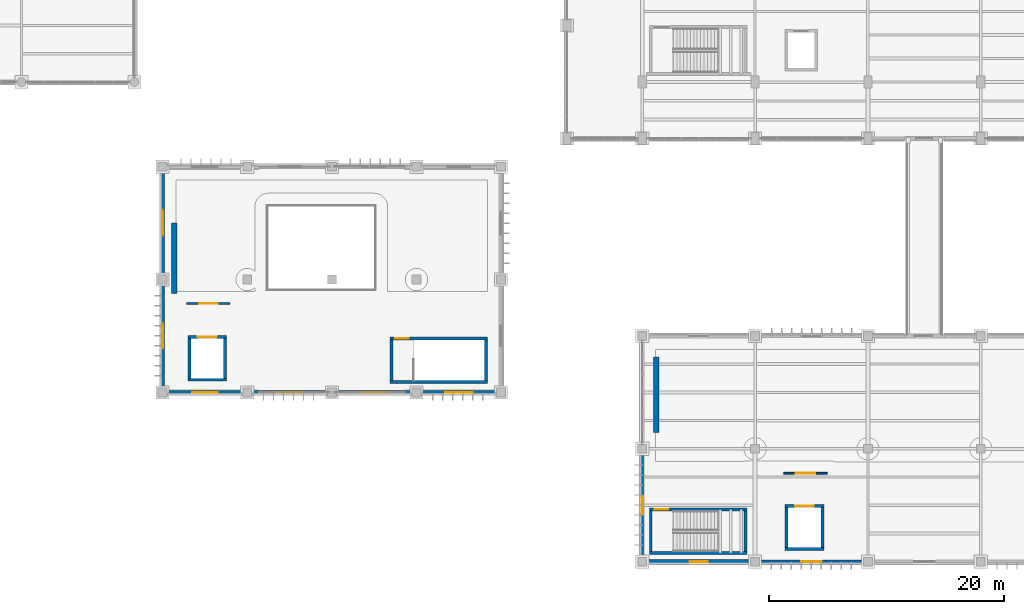
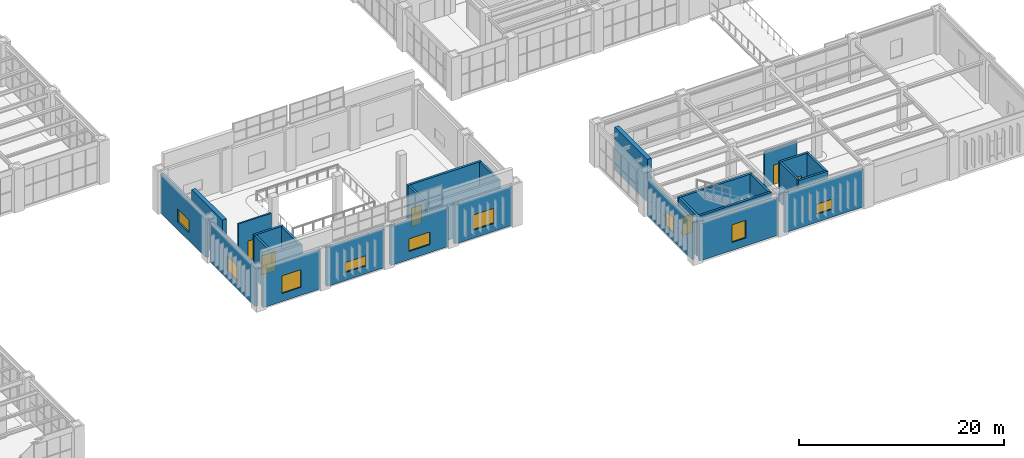
# One storey, part 142 of 174: 29 walls, 9 windows, 6 doors, 15 openings.
"""IFC4 building model written with IfcOpenShell, lengths in metres."""

import ifcopenshell
import ifcopenshell.guid

model = None  # the IFC model being written
_history = None  # IfcOwnerHistory: only IFC2X3 demands one
_inside = {}  # id of a spatial element -> (the spatial element, [elements in it])
_under = {}  # id of a project, library or spatial element -> (it, [spatial elements below it])
_declared = {}  # id of a project -> (the project, [libraries it declares])
_typed = {}  # id of a type object -> (the type object, [elements of that type])
_made_of = {}  # id of a material, layer set ... -> (it, [elements and type objects made of it])


def new_model(schema):
    """Start an empty IFC model of exactly this schema.

    Asked for "IFC4X3", IfcOpenShell would pick the latest addendum, in which some entities
    have other attributes; the version numbers below select the first issue.
    IFC2X3 requires an IfcOwnerHistory on every rooted entity: one is made here for all.
    """
    global model, _history
    if schema == "IFC4X3":
        model = ifcopenshell.file(schema_version=(4, 3, 0, 0))
    else:
        model = ifcopenshell.file(schema=schema)
    _inside.clear()
    _under.clear()
    _declared.clear()
    _typed.clear()
    _made_of.clear()
    _history = None
    if model.schema == "IFC2X3":
        org = make("IfcOrganization", Name="unknown")
        user = make(
            "IfcPersonAndOrganization",
            ThePerson=make("IfcPerson", FamilyName="unknown"),
            TheOrganization=org,
        )
        app = make(
            "IfcApplication",
            ApplicationDeveloper=org,
            Version="unknown",
            ApplicationFullName="unknown",
            ApplicationIdentifier="unknown",
        )
        _history = make(
            "IfcOwnerHistory",
            OwningUser=user,
            OwningApplication=app,
            ChangeAction="ADDED",
            CreationDate=0,
        )
    return model


def make(cls, **values):
    """One entity of the class cls with the attributes given. An attribute that is None is left unset."""
    return model.create_entity(
        cls, **{name: value for name, value in values.items() if value is not None}
    )


def rooted(cls, **values):
    """An entity with a GlobalId (a new one), such as an element, a storey or a relation."""
    return make(cls, GlobalId=ifcopenshell.guid.new(), OwnerHistory=_history, **values)


def si_unit(unit_type, name, prefix=None):
    """IfcSIUnit, for example si_unit("LENGTHUNIT", "METRE", prefix="MILLI")."""
    return make("IfcSIUnit", UnitType=unit_type, Prefix=prefix, Name=name)


def assignment(units):
    """IfcUnitAssignment: the units of a project."""
    return None if units is None else make("IfcUnitAssignment", Units=units)


def point(xyz):
    """IfcCartesianPoint."""
    return None if xyz is None else make("IfcCartesianPoint", Coordinates=xyz)


def direction(xyz):
    """IfcDirection."""
    return None if xyz is None else make("IfcDirection", DirectionRatios=xyz)


def frame(location, z_axis=None, x_axis=None):
    """IfcAxis2Placement3D, a coordinate frame: its origin and axes. An axis left out is left unset."""
    return make(
        "IfcAxis2Placement3D",
        Location=point(location),
        Axis=direction(z_axis),
        RefDirection=direction(x_axis),
    )


def frame_2d(location, x_axis=None):
    """IfcAxis2Placement2D, a coordinate frame in the plane: its origin and x axis."""
    return make(
        "IfcAxis2Placement2D", Location=point(location), RefDirection=direction(x_axis)
    )


def origin():
    """The frame at (0, 0, 0) with its axes left unset."""
    return frame((0.0, 0.0, 0.0))


def place(relative_to, where):
    """IfcLocalPlacement: puts the frame where relative to a parent placement (None: the world)."""
    return make(
        "IfcLocalPlacement", PlacementRelTo=relative_to, RelativePlacement=where
    )


def context(
    kind, dimensions, precision=None, world=None, true_north=None, identifier=None
):
    """IfcGeometricRepresentationContext, for example the 3D "Model" context."""
    return make(
        "IfcGeometricRepresentationContext",
        ContextIdentifier=identifier,
        ContextType=kind,
        CoordinateSpaceDimension=dimensions,
        Precision=precision,
        WorldCoordinateSystem=world,
        TrueNorth=true_north,
    )


def subcontext(parent, identifier, kind, view, scale=None):
    """IfcGeometricRepresentationSubContext, for example "Body" below "Model"."""
    return make(
        "IfcGeometricRepresentationSubContext",
        ContextIdentifier=identifier,
        ContextType=kind,
        ParentContext=parent,
        TargetScale=scale,
        TargetView=view,
    )


def project(units=None, contexts=None):
    """IfcProject with its units and contexts."""
    return rooted(
        "IfcProject",
        Name="project",
        RepresentationContexts=contexts,
        UnitsInContext=assignment(units),
    )


def spatial(cls, under=None, at=None, **own):
    """A site, building, storey or space (cls), placed at a placement, below another one or the project."""
    s = rooted(cls, ObjectPlacement=at, **own)
    if under is not None:
        _under.setdefault(under.id(), (under, []))[1].append(s)
    return s


def profile(cls, at=None, kind="AREA", **sizes):
    """A parametric profile (cls). Its sizes go by their IFC names, for example OverallWidth=200.0."""
    return make(cls, ProfileType=kind, Position=at, **sizes)


def rectangle(**sizes):
    """IfcRectangleProfileDef."""
    return profile("IfcRectangleProfileDef", **sizes)


def extrude(swept, where, along, depth):
    """IfcExtrudedAreaSolid: the profile swept, set in the frame where, extruded along a direction by depth."""
    return make(
        "IfcExtrudedAreaSolid",
        SweptArea=swept,
        Position=where,
        ExtrudedDirection=direction(along),
        Depth=depth,
    )


def shape(context_of_items, identifier, shape_type, items):
    """IfcShapeRepresentation: the items that make up one representation, for example the "Body"."""
    return make(
        "IfcShapeRepresentation",
        ContextOfItems=context_of_items,
        RepresentationIdentifier=identifier,
        RepresentationType=shape_type,
        Items=items,
    )


def material(Name=None, Category=None):
    """IfcMaterial."""
    return make("IfcMaterial", Name=Name, Category=Category)


def layer(
    of_material, thickness, ventilated=None, Name=None, Category=None, Priority=None
):
    """IfcMaterialLayer: one layer of a wall or slab, of a material (None: an air gap)."""
    return make(
        "IfcMaterialLayer",
        Material=of_material,
        LayerThickness=thickness,
        IsVentilated=ventilated,
        Name=Name,
        Category=Category,
        Priority=Priority,
    )


def layer_set(layers, Name=None):
    """IfcMaterialLayerSet."""
    return make("IfcMaterialLayerSet", MaterialLayers=layers, LayerSetName=Name)


def made_of(thing, what):
    """Note that an element or type object is made of a material, layer set ...; save() writes the relation."""
    if what is not None:
        _made_of.setdefault(what.id(), (what, []))[1].append(thing)
    return thing


def type_object(cls, material=None, **own):
    """A type object (cls), such as IfcWallType, which elements share."""
    return made_of(rooted(cls, **own), material)


def element(
    cls,
    number,
    at=None,
    inside=None,
    cuts=None,
    type_object=None,
    material=None,
    context=None,
    identifier="Body",
    shape_type=None,
    held_by="IfcProductDefinitionShape",
    body=None,
    shapes=None,
    **own,
):
    """One element of the class cls, such as IfcWall. Its Tag is "e" and its number.

    at: its placement. inside: the storey or other place that contains it. cuts: it is an
    opening in that element (IfcRelVoidsElement). A single representation is given by context,
    identifier, shape_type and body (its items); several are given by shapes. held_by: the class
    of the entity that holds the representations. save() writes the other relations.
    """
    e = rooted(cls, Tag="e%d" % number, ObjectPlacement=at, **own)
    if body is not None:
        shapes = [shape(context, identifier, shape_type, body)]
    if shapes is not None:
        e.Representation = make(held_by, Representations=shapes)
    if inside is not None:
        _inside.setdefault(inside.id(), (inside, []))[1].append(e)
    if cuts is not None:
        rooted(
            "IfcRelVoidsElement", RelatingBuildingElement=cuts, RelatedOpeningElement=e
        )
    if type_object is not None:
        _typed.setdefault(type_object.id(), (type_object, []))[1].append(e)
    return made_of(e, material)


def fill(opening, filler):
    """IfcRelFillsElement: the door or window that sits in an opening."""
    return rooted(
        "IfcRelFillsElement",
        RelatingOpeningElement=opening,
        RelatedBuildingElement=filler,
    )


def aggregate(whole, parts):
    """IfcRelAggregates: a whole, such as a stair, and the parts it consists of."""
    return rooted("IfcRelAggregates", RelatingObject=whole, RelatedObjects=parts)


def save(model, path):
    """Write the relations noted so far, then the file.

    IfcRelAggregates (storeys below a building ...), IfcRelContainedInSpatialStructure (elements
    in a storey), IfcRelDefinesByType, IfcRelAssociatesMaterial and IfcRelDeclares: one each for
    every whole, place, type object, material and project.
    """
    for whole, parts in _under.values():
        aggregate(whole, parts)
    for where, things in _inside.values():
        rooted(
            "IfcRelContainedInSpatialStructure",
            RelatedElements=things,
            RelatingStructure=where,
        )
    for kind, things in _typed.values():
        rooted("IfcRelDefinesByType", RelatedObjects=things, RelatingType=kind)
    for what, things in _made_of.values():
        rooted("IfcRelAssociatesMaterial", RelatedObjects=things, RelatingMaterial=what)
    for by, libraries in _declared.values():
        rooted("IfcRelDeclares", RelatingContext=by, RelatedDefinitions=libraries)
    model.write(path)


model = new_model("IFC4")

# Units and contexts
model_context = context("Model", 3, precision=1e-05, world=origin(), true_north=direction((0.0, 1.0)))
body_context = subcontext(model_context, "Body", "Model", "MODEL_VIEW")
ifc_project = project(units=[si_unit("LENGTHUNIT", "METRE"), si_unit("AREAUNIT", "SQUARE_METRE"), si_unit("VOLUMEUNIT", "CUBIC_METRE"), si_unit("PLANEANGLEUNIT", "RADIAN"), si_unit("MASSUNIT", "GRAM", prefix="KILO")], contexts=[model_context])

# Site, building, storey
site_placement = place(None, origin())
site = spatial("IfcSite", under=ifc_project, at=site_placement, CompositionType="ELEMENT")
building_placement = place(site_placement, origin())
building = spatial("IfcBuilding", under=site, at=building_placement, Name="Mavantir Sound Aquarium", CompositionType="ELEMENT")
storey_placement = place(building_placement, frame((0.0, 0.0, 5.39990234375)))
storey = spatial("IfcBuildingStorey", under=building, at=storey_placement, Name="L01", CompositionType="ELEMENT", Elevation=5.39990234375)

# Wall, opening, window
ifc_material_1 = material(Name="Coral-Buff Architectural Precast Concrete C40/50", Category="concrete")
ifc_layer_1 = layer(ifc_material_1, 0.31005859375, Name="Coral-Buff Architectural Precast Concrete C40/50")
ifc_layer_set_1 = layer_set([ifc_layer_1], Name="Coral-Buff Architectural Precast Concrete C40/50")
wall_type_1 = type_object("IfcWallType", Name="EW-CORAL-310", PredefinedType="SOLIDWALL", material=ifc_layer_set_1)
wall_1_placement = place(storey_placement, frame((117.98291015625, 0.0, 0.0), z_axis=(0.0, 0.0, 1.0), x_axis=(1.0, 0.0, 0.0)))
wall_1 = element("IfcWall", 1, at=wall_1_placement, inside=storey, type_object=wall_type_1, Name="L01 exterior facade wall EW-02 188", PredefinedType="SOLIDWALL", context=body_context, shape_type="SweptSolid", body=[
    extrude(rectangle(XDim=8.833984375, YDim=0.31005859375, at=frame_2d((4.4169921875, 0.0))), origin(), (0.0, 0.0, 1.0), 4.51318359375),
])
opening_1_placement = place(wall_1_placement, frame((3.5419921875, 0.0, 0.949951171875)))
opening_1 = element("IfcOpeningElement", 2, at=opening_1_placement, cuts=wall_1, Name="Opening W-17", PredefinedType="OPENING", context=body_context, shape_type="SweptSolid", body=[
    extrude(rectangle(XDim=1.75, YDim=1.199951171875, at=frame_2d((0.875, 0.60009765625))), frame((0.0, 0.1650390625, 0.0), z_axis=(0.0, -1.0, 0.0), x_axis=(1.0, 0.0, 0.0)), (0.0, 0.0, 1.0), 0.330078125),
])
ifc_material_2 = material(Name="Thermally Broken Aluminium and Low-E Glass", Category="aluminium")
window_type_1 = type_object("IfcWindowType", Name="WIN-EXT-17", PartitioningType="DOUBLE_PANEL_VERTICAL", PredefinedType="WINDOW", material=ifc_material_2)
window_1_placement = place(opening_1_placement, origin())
window_1 = element("IfcWindow", 3, at=window_1_placement, inside=storey, type_object=window_type_1, Name="L01 facade window W-17 65", OverallHeight=1.199951171875, OverallWidth=1.75, PartitioningType="SINGLE_PANEL", PredefinedType="WINDOW", context=body_context, shape_type="SweptSolid", body=[
    extrude(rectangle(XDim=1.75, YDim=1.199951171875, at=frame_2d((0.875, 0.60009765625))), frame((0.0, 0.030029296875, 0.0), z_axis=(0.0, -1.0, 0.0), x_axis=(1.0, 0.0, 0.0)), (0.0, 0.0, 1.0), 0.06005859375),
])
fill(opening_1, window_1)

ifc_layer_2 = layer(ifc_material_1, 0.340087890625, Name="Coral-Buff Architectural Precast Concrete C40/50")
ifc_layer_set_2 = layer_set([ifc_layer_2], Name="Coral-Buff Architectural Precast Concrete C40/50")
wall_type_2 = type_object("IfcWallType", Name="EW-CORAL-340", PredefinedType="SOLIDWALL", material=ifc_layer_set_2)
wall_2_placement = place(storey_placement, frame((108.383056640625, 0.0, 0.0), z_axis=(0.0, 0.0, 1.0), x_axis=(1.0, 0.0, 0.0)))
wall_2 = element("IfcWall", 4, at=wall_2_placement, inside=storey, type_object=wall_type_2, Name="L01 exterior facade wall EW-01 187", PredefinedType="SOLIDWALL", context=body_context, shape_type="SweptSolid", body=[
    extrude(rectangle(XDim=8.833984375, YDim=0.340087890625, at=frame_2d((4.4169921875, 0.0))), origin(), (0.0, 0.0, 1.0), 4.408203125),
])
opening_2_placement = place(wall_2_placement, frame((3.64208984375, 0.0, 0.949951171875)))
opening_2 = element("IfcOpeningElement", 5, at=opening_2_placement, cuts=wall_2, Name="Opening W-16", PredefinedType="OPENING", context=body_context, shape_type="SweptSolid", body=[
    extrude(rectangle(XDim=1.550048828125, YDim=2.10009765625, at=frame_2d((0.77490234375, 1.050048828125))), frame((0.0, 0.18017578125, 0.0), z_axis=(0.0, -1.0, 0.0), x_axis=(1.0, 0.0, 0.0)), (0.0, 0.0, 1.0), 0.360107421875),
])
window_type_2 = type_object("IfcWindowType", Name="WIN-EXT-16", PartitioningType="SINGLE_PANEL", PredefinedType="WINDOW", material=ifc_material_2)
window_2_placement = place(opening_2_placement, origin())
window_2 = element("IfcWindow", 6, at=window_2_placement, inside=storey, type_object=window_type_2, Name="L01 facade window W-16 64", OverallHeight=2.10009765625, OverallWidth=1.550048828125, PartitioningType="SINGLE_PANEL", PredefinedType="WINDOW", context=body_context, shape_type="SweptSolid", body=[
    extrude(rectangle(XDim=1.550048828125, YDim=2.10009765625, at=frame_2d((0.77490234375, 1.050048828125))), frame((0.0, 0.030029296875, 0.0), z_axis=(0.0, -1.0, 0.0), x_axis=(1.0, 0.0, 0.0)), (0.0, 0.0, 1.0), 0.06005859375),
])
fill(opening_2, window_2)

wall_3_placement = place(storey_placement, frame((67.199951171875, 33.217041015625, 0.0), z_axis=(0.0, 0.0, 1.0), x_axis=(0.0, -1.0, 0.0)))
wall_3 = element("IfcWall", 7, at=wall_3_placement, inside=storey, type_object=wall_type_2, Name="L01 exterior facade wall EW-01 197", PredefinedType="SOLIDWALL", context=body_context, shape_type="SweptSolid", body=[
    extrude(rectangle(XDim=8.833984375, YDim=0.340087890625, at=frame_2d((4.4169921875, 0.0))), origin(), (0.0, 0.0, 1.0), 4.605712890625),
])
opening_3_placement = place(wall_3_placement, frame((3.342041015625, 0.0, 0.949951171875)))
opening_3 = element("IfcOpeningElement", 8, at=opening_3_placement, cuts=wall_3, Name="Opening W-26", PredefinedType="OPENING", context=body_context, shape_type="SweptSolid", body=[
    extrude(rectangle(XDim=2.14990234375, YDim=1.5, at=frame_2d((1.074951171875, 0.75))), frame((0.0, 0.18017578125, 0.0), z_axis=(0.0, -1.0, 0.0), x_axis=(1.0, 0.0, 0.0)), (0.0, 0.0, 1.0), 0.360107421875),
])
window_type_3 = type_object("IfcWindowType", Name="WIN-EXT-26", PartitioningType="DOUBLE_PANEL_VERTICAL", PredefinedType="WINDOW", material=ifc_material_2)
window_3_placement = place(opening_3_placement, origin())
window_3 = element("IfcWindow", 9, at=window_3_placement, inside=storey, type_object=window_type_3, Name="L01 facade window W-26 74", OverallHeight=1.5, OverallWidth=2.14990234375, PartitioningType="SINGLE_PANEL", PredefinedType="WINDOW", context=body_context, shape_type="SweptSolid", body=[
    extrude(rectangle(XDim=2.14990234375, YDim=1.5, at=frame_2d((1.074951171875, 0.75))), frame((0.0, 0.030029296875, 0.0), z_axis=(0.0, -1.0, 0.0), x_axis=(1.0, 0.0, 0.0)), (0.0, 0.0, 1.0), 0.06005859375),
])
fill(opening_3, window_3)

wall_4_placement = place(storey_placement, frame((67.199951171875, 23.616943359375, 0.0), z_axis=(0.0, 0.0, 1.0), x_axis=(0.0, -1.0, 0.0)))
wall_4 = element("IfcWall", 10, at=wall_4_placement, inside=storey, type_object=wall_type_2, Name="L01 exterior facade wall EW-01 198", PredefinedType="SOLIDWALL", context=body_context, shape_type="SweptSolid", body=[
    extrude(rectangle(XDim=8.833984375, YDim=0.340087890625, at=frame_2d((4.4169921875, 0.0))), origin(), (0.0, 0.0, 1.0), 4.605712890625),
])
opening_4_placement = place(wall_4_placement, frame((3.342041015625, 0.0, 0.949951171875)))
opening_4 = element("IfcOpeningElement", 11, at=opening_4_placement, cuts=wall_4, Name="Opening W-27", PredefinedType="OPENING", context=body_context, shape_type="SweptSolid", body=[
    extrude(rectangle(XDim=2.14990234375, YDim=1.800048828125, at=frame_2d((1.074951171875, 0.89990234375))), frame((0.0, 0.18017578125, 0.0), z_axis=(0.0, -1.0, 0.0), x_axis=(1.0, 0.0, 0.0)), (0.0, 0.0, 1.0), 0.360107421875),
])
window_type_4 = type_object("IfcWindowType", Name="WIN-EXT-27", PartitioningType="DOUBLE_PANEL_VERTICAL", PredefinedType="WINDOW", material=ifc_material_2)
window_4_placement = place(opening_4_placement, origin())
window_4 = element("IfcWindow", 12, at=window_4_placement, inside=storey, type_object=window_type_4, Name="L01 facade window W-27 75", OverallHeight=1.800048828125, OverallWidth=2.14990234375, PartitioningType="SINGLE_PANEL", PredefinedType="WINDOW", context=body_context, shape_type="SweptSolid", body=[
    extrude(rectangle(XDim=2.14990234375, YDim=1.800048828125, at=frame_2d((1.074951171875, 0.89990234375))), frame((0.0, 0.030029296875, 0.0), z_axis=(0.0, -1.0, 0.0), x_axis=(1.0, 0.0, 0.0)), (0.0, 0.0, 1.0), 0.06005859375),
])
fill(opening_4, window_4)

wall_5_placement = place(storey_placement, frame((67.5830078125, 14.39990234375, 0.0), z_axis=(0.0, 0.0, 1.0), x_axis=(1.0, 0.0, 0.0)))
wall_5 = element("IfcWall", 13, at=wall_5_placement, inside=storey, type_object=wall_type_2, Name="L01 exterior facade wall EW-01 199", PredefinedType="SOLIDWALL", context=body_context, shape_type="SweptSolid", body=[
    extrude(rectangle(XDim=6.43408203125, YDim=0.340087890625, at=frame_2d((3.217041015625, 0.0))), origin(), (0.0, 0.0, 1.0), 4.605712890625),
])
opening_5_placement = place(wall_5_placement, frame((2.14208984375, 0.0, 0.949951171875)))
opening_5 = element("IfcOpeningElement", 14, at=opening_5_placement, cuts=wall_5, Name="Opening W-28", PredefinedType="OPENING", context=body_context, shape_type="SweptSolid", body=[
    extrude(rectangle(XDim=2.14990234375, YDim=2.10009765625, at=frame_2d((1.074951171875, 1.050048828125))), frame((0.0, 0.18017578125, 0.0), z_axis=(0.0, -1.0, 0.0), x_axis=(1.0, 0.0, 0.0)), (0.0, 0.0, 1.0), 0.360107421875),
])
window_type_5 = type_object("IfcWindowType", Name="WIN-EXT-28", PartitioningType="DOUBLE_PANEL_VERTICAL", PredefinedType="WINDOW", material=ifc_material_2)
window_5_placement = place(opening_5_placement, origin())
window_5 = element("IfcWindow", 15, at=window_5_placement, inside=storey, type_object=window_type_5, Name="L01 facade window W-28 76", OverallHeight=2.10009765625, OverallWidth=2.14990234375, PartitioningType="SINGLE_PANEL", PredefinedType="WINDOW", context=body_context, shape_type="SweptSolid", body=[
    extrude(rectangle(XDim=2.14990234375, YDim=2.10009765625, at=frame_2d((1.074951171875, 1.050048828125))), frame((0.0, 0.030029296875, 0.0), z_axis=(0.0, -1.0, 0.0), x_axis=(1.0, 0.0, 0.0)), (0.0, 0.0, 1.0), 0.06005859375),
])
fill(opening_5, window_5)

wall_6_placement = place(storey_placement, frame((74.782958984375, 14.39990234375, 0.0), z_axis=(0.0, 0.0, 1.0), x_axis=(1.0, 0.0, 0.0)))
wall_6 = element("IfcWall", 16, at=wall_6_placement, inside=storey, type_object=wall_type_2, Name="L01 exterior facade wall EW-01 200", PredefinedType="SOLIDWALL", context=body_context, shape_type="SweptSolid", body=[
    extrude(rectangle(XDim=6.43408203125, YDim=0.340087890625, at=frame_2d((3.217041015625, 0.0))), origin(), (0.0, 0.0, 1.0), 4.605712890625),
])
opening_6_placement = place(wall_6_placement, frame((2.0419921875, 0.0, 0.949951171875)))
opening_6 = element("IfcOpeningElement", 17, at=opening_6_placement, cuts=wall_6, Name="Opening W-29", PredefinedType="OPENING", context=body_context, shape_type="SweptSolid", body=[
    extrude(rectangle(XDim=2.35009765625, YDim=1.199951171875, at=frame_2d((1.175048828125, 0.60009765625))), frame((0.0, 0.18017578125, 0.0), z_axis=(0.0, -1.0, 0.0), x_axis=(1.0, 0.0, 0.0)), (0.0, 0.0, 1.0), 0.360107421875),
])
window_type_6 = type_object("IfcWindowType", Name="WIN-EXT-29", PartitioningType="DOUBLE_PANEL_VERTICAL", PredefinedType="WINDOW", material=ifc_material_2)
window_6_placement = place(opening_6_placement, origin())
window_6 = element("IfcWindow", 18, at=window_6_placement, inside=storey, type_object=window_type_6, Name="L01 facade window W-29 77", OverallHeight=1.199951171875, OverallWidth=2.35009765625, PartitioningType="SINGLE_PANEL", PredefinedType="WINDOW", context=body_context, shape_type="SweptSolid", body=[
    extrude(rectangle(XDim=2.35009765625, YDim=1.199951171875, at=frame_2d((1.175048828125, 0.60009765625))), frame((0.0, 0.030029296875, 0.0), z_axis=(0.0, -1.0, 0.0), x_axis=(1.0, 0.0, 0.0)), (0.0, 0.0, 1.0), 0.06005859375),
])
fill(opening_6, window_6)

wall_7_placement = place(storey_placement, frame((81.98291015625, 14.39990234375, 0.0), z_axis=(0.0, 0.0, 1.0), x_axis=(1.0, 0.0, 0.0)))
wall_7 = element("IfcWall", 19, at=wall_7_placement, inside=storey, type_object=wall_type_2, Name="L01 exterior facade wall EW-01 201", PredefinedType="SOLIDWALL", context=body_context, shape_type="SweptSolid", body=[
    extrude(rectangle(XDim=6.43408203125, YDim=0.340087890625, at=frame_2d((3.217041015625, 0.0))), origin(), (0.0, 0.0, 1.0), 4.605712890625),
])
opening_7_placement = place(wall_7_placement, frame((2.0419921875, 0.0, 0.949951171875)))
opening_7 = element("IfcOpeningElement", 20, at=opening_7_placement, cuts=wall_7, Name="Opening W-30", PredefinedType="OPENING", context=body_context, shape_type="SweptSolid", body=[
    extrude(rectangle(XDim=2.35009765625, YDim=1.5, at=frame_2d((1.175048828125, 0.75))), frame((0.0, 0.18017578125, 0.0), z_axis=(0.0, -1.0, 0.0), x_axis=(1.0, 0.0, 0.0)), (0.0, 0.0, 1.0), 0.360107421875),
])
window_type_7 = type_object("IfcWindowType", Name="WIN-EXT-30", PartitioningType="DOUBLE_PANEL_VERTICAL", PredefinedType="WINDOW", material=ifc_material_2)
window_7_placement = place(opening_7_placement, origin())
window_7 = element("IfcWindow", 21, at=window_7_placement, inside=storey, type_object=window_type_7, Name="L01 facade window W-30 78", OverallHeight=1.5, OverallWidth=2.35009765625, PartitioningType="SINGLE_PANEL", PredefinedType="WINDOW", context=body_context, shape_type="SweptSolid", body=[
    extrude(rectangle(XDim=2.35009765625, YDim=1.5, at=frame_2d((1.175048828125, 0.75))), frame((0.0, 0.030029296875, 0.0), z_axis=(0.0, -1.0, 0.0), x_axis=(1.0, 0.0, 0.0)), (0.0, 0.0, 1.0), 0.06005859375),
])
fill(opening_7, window_7)

wall_8_placement = place(storey_placement, frame((89.18310546875, 14.39990234375, 0.0), z_axis=(0.0, 0.0, 1.0), x_axis=(1.0, 0.0, 0.0)))
wall_8 = element("IfcWall", 22, at=wall_8_placement, inside=storey, type_object=wall_type_2, Name="L01 exterior facade wall EW-01 202", PredefinedType="SOLIDWALL", context=body_context, shape_type="SweptSolid", body=[
    extrude(rectangle(XDim=6.433837890625, YDim=0.340087890625, at=frame_2d((3.216796875, 0.0))), origin(), (0.0, 0.0, 1.0), 4.605712890625),
])
opening_8_placement = place(wall_8_placement, frame((2.0419921875, 0.0, 0.949951171875)))
opening_8 = element("IfcOpeningElement", 23, at=opening_8_placement, cuts=wall_8, Name="Opening W-31", PredefinedType="OPENING", context=body_context, shape_type="SweptSolid", body=[
    extrude(rectangle(XDim=2.35009765625, YDim=1.800048828125, at=frame_2d((1.175048828125, 0.89990234375))), frame((0.0, 0.18017578125, 0.0), z_axis=(0.0, -1.0, 0.0), x_axis=(1.0, 0.0, 0.0)), (0.0, 0.0, 1.0), 0.360107421875),
])
window_type_8 = type_object("IfcWindowType", Name="WIN-EXT-31", PartitioningType="DOUBLE_PANEL_VERTICAL", PredefinedType="WINDOW", material=ifc_material_2)
window_8_placement = place(opening_8_placement, origin())
window_8 = element("IfcWindow", 24, at=window_8_placement, inside=storey, type_object=window_type_8, Name="L01 facade window W-31 79", OverallHeight=1.800048828125, OverallWidth=2.35009765625, PartitioningType="SINGLE_PANEL", PredefinedType="WINDOW", context=body_context, shape_type="SweptSolid", body=[
    extrude(rectangle(XDim=2.35009765625, YDim=1.800048828125, at=frame_2d((1.175048828125, 0.89990234375))), frame((0.0, 0.030029296875, 0.0), z_axis=(0.0, -1.0, 0.0), x_axis=(1.0, 0.0, 0.0)), (0.0, 0.0, 1.0), 0.06005859375),
])
fill(opening_8, window_8)

ifc_material_3 = material(Name="Architectural Precast Concrete C40/50", Category="concrete")
ifc_layer_3 = layer(ifc_material_3, 0.239990234375, Name="Architectural Precast Concrete C40/50")
ifc_layer_set_3 = layer_set([ifc_layer_3], Name="Architectural Precast Concrete C40/50")
wall_type_3 = type_object("IfcWallType", Name="EW-PRE-240", PredefinedType="SOLIDWALL", material=ifc_layer_set_3)
wall_9_placement = place(storey_placement, frame((108.0, 9.217041015625, 0.0), z_axis=(0.0, 0.0, 1.0), x_axis=(0.0, -1.0, 0.0)))
wall_9 = element("IfcWall", 25, at=wall_9_placement, inside=storey, type_object=wall_type_3, Name="L01 exterior facade wall EW-06 186", PredefinedType="SOLIDWALL", context=body_context, shape_type="SweptSolid", body=[
    extrude(rectangle(XDim=8.833984375, YDim=0.239990234375, at=frame_2d((4.4169921875, 0.0))), origin(), (0.0, 0.0, 1.0), 4.406005859375),
])
opening_9_placement = place(wall_9_placement, frame((3.64208984375, 0.0, 0.949951171875)))
opening_9 = element("IfcOpeningElement", 26, at=opening_9_placement, cuts=wall_9, Name="Opening W-15", PredefinedType="OPENING", context=body_context, shape_type="SweptSolid", body=[
    extrude(rectangle(XDim=1.550048828125, YDim=1.800048828125, at=frame_2d((0.77490234375, 0.89990234375))), frame((0.0, 0.1298828125, 0.0), z_axis=(0.0, -1.0, 0.0), x_axis=(1.0, 0.0, 0.0)), (0.0, 0.0, 1.0), 0.260009765625),
])
window_type_9 = type_object("IfcWindowType", Name="WIN-EXT-15", PartitioningType="SINGLE_PANEL", PredefinedType="WINDOW", material=ifc_material_2)
window_9_placement = place(opening_9_placement, origin())
window_9 = element("IfcWindow", 27, at=window_9_placement, inside=storey, type_object=window_type_9, Name="L01 facade window W-15 63", OverallHeight=1.800048828125, OverallWidth=1.550048828125, PartitioningType="SINGLE_PANEL", PredefinedType="WINDOW", context=body_context, shape_type="SweptSolid", body=[
    extrude(rectangle(XDim=1.550048828125, YDim=1.800048828125, at=frame_2d((0.77490234375, 0.89990234375))), frame((0.0, 0.030029296875, 0.0), z_axis=(0.0, -1.0, 0.0), x_axis=(1.0, 0.0, 0.0)), (0.0, 0.0, 1.0), 0.06005859375),
])
fill(opening_9, window_9)

# Wall, opening, door
ifc_material_4 = material(Name="Acoustic Metal-Stud Gypsum Partition", Category="gypsum")
ifc_layer_4 = layer(ifc_material_4, 0.159912109375, Name="Acoustic Metal-Stud Gypsum Partition")
ifc_layer_set_4 = layer_set([ifc_layer_4], Name="Acoustic Metal-Stud Gypsum Partition")
wall_type_4 = type_object("IfcWallType", Name="IW-PART-160", PredefinedType="PARTITIONING", material=ifc_layer_set_4)
wall_10_placement = place(storey_placement, frame((120.050048828125, 7.52490234375, 0.0), z_axis=(0.0, 0.0, 1.0), x_axis=(1.0, 0.0, 0.0)))
wall_10 = element("IfcWall", 28, at=wall_10_placement, inside=storey, type_object=wall_type_4, Name="L01 Secondary Marine Quarantine Acclimatization Hall entry partition", PredefinedType="PARTITIONING", context=body_context, shape_type="SweptSolid", body=[
    extrude(rectangle(XDim=3.699951171875, YDim=0.159912109375, at=frame_2d((1.85009765625, 0.0))), origin(), (0.0, 0.0, 1.0), 4.299072265625),
])
opening_10_placement = place(wall_10_placement, frame((1.030029296875, 0.0, 0.0)))
opening_10 = element("IfcOpeningElement", 29, at=opening_10_placement, cuts=wall_10, Name="Opening ID-15", PredefinedType="OPENING", context=body_context, shape_type="SweptSolid", body=[
    extrude(rectangle(XDim=1.639892578125, YDim=2.35009765625, at=frame_2d((0.81982421875, 1.175048828125))), frame((0.0, 0.08984375, 0.0), z_axis=(0.0, -1.0, 0.0), x_axis=(1.0, 0.0, 0.0)), (0.0, 0.0, 1.0), 0.179931640625),
])
ifc_material_5 = material(Name="Solid-Core Marine Hardwood and Vision-Panel Door", Category="wood")
door_type_1 = type_object("IfcDoorType", Name="DR-INT-15", OperationType="NOTDEFINED", PredefinedType="DOOR", material=ifc_material_5)
door_1_placement = place(opening_10_placement, origin())
door_1 = element("IfcDoor", 30, at=door_1_placement, inside=storey, type_object=door_type_1, Name="Secondary Marine Quarantine Acclimatization Hall door", OperationType="SINGLE_SWING_LEFT", OverallHeight=2.35009765625, OverallWidth=1.639892578125, PredefinedType="DOOR", context=body_context, shape_type="SweptSolid", body=[
    extrude(rectangle(XDim=1.639892578125, YDim=2.35009765625, at=frame_2d((0.81982421875, 1.175048828125))), frame((0.0, 0.02490234375, 0.0), z_axis=(0.0, -1.0, 0.0), x_axis=(1.0, 0.0, 0.0)), (0.0, 0.0, 1.0), 0.050048828125),
])
fill(opening_10, door_1)

ifc_layer_5 = layer(ifc_material_4, 0.179931640625, Name="Acoustic Metal-Stud Gypsum Partition")
ifc_layer_set_5 = layer_set([ifc_layer_5], Name="Acoustic Metal-Stud Gypsum Partition")
wall_type_5 = type_object("IfcWallType", Name="IW-PART-180", PredefinedType="PARTITIONING", material=ifc_layer_set_5)
wall_11_placement = place(storey_placement, frame((69.25, 21.97509765625, 0.0), z_axis=(0.0, 0.0, 1.0), x_axis=(1.0, 0.0, 0.0)))
wall_11 = element("IfcWall", 31, at=wall_11_placement, inside=storey, type_object=wall_type_5, Name="L01 Harbour Promenade Orientation Mezzanine entry partition", PredefinedType="PARTITIONING", context=body_context, shape_type="SweptSolid", body=[
    extrude(rectangle(XDim=3.699951171875, YDim=0.179931640625, at=frame_2d((1.85009765625, 0.0))), origin(), (0.0, 0.0, 1.0), 4.739990234375),
])
opening_11_placement = place(wall_11_placement, frame((1.070068359375, 0.0, 0.0)))
opening_11 = element("IfcOpeningElement", 32, at=opening_11_placement, cuts=wall_11, Name="Opening ID-14", PredefinedType="OPENING", context=body_context, shape_type="SweptSolid", body=[
    extrude(rectangle(XDim=1.56005859375, YDim=2.320068359375, at=frame_2d((0.780029296875, 1.16015625))), frame((0.0, 0.10009765625, 0.0), z_axis=(0.0, -1.0, 0.0), x_axis=(1.0, 0.0, 0.0)), (0.0, 0.0, 1.0), 0.199951171875),
])
door_type_2 = type_object("IfcDoorType", Name="DR-INT-14", OperationType="NOTDEFINED", PredefinedType="DOOR", material=ifc_material_5)
door_2_placement = place(opening_11_placement, origin())
door_2 = element("IfcDoor", 33, at=door_2_placement, inside=storey, type_object=door_type_2, Name="Harbour Promenade Orientation Mezzanine door", OperationType="SINGLE_SWING_RIGHT", OverallHeight=2.320068359375, OverallWidth=1.56005859375, PredefinedType="DOOR", context=body_context, shape_type="SweptSolid", body=[
    extrude(rectangle(XDim=1.56005859375, YDim=2.320068359375, at=frame_2d((0.780029296875, 1.16015625))), frame((0.0, 0.02490234375, 0.0), z_axis=(0.0, -1.0, 0.0), x_axis=(1.0, 0.0, 0.0)), (0.0, 0.0, 1.0), 0.050048828125),
])
fill(opening_11, door_2)

# Wall
ifc_material_6 = material(Name="Concrete C40/50", Category="concrete")
ifc_layer_6 = layer(ifc_material_6, 0.25, Name="Concrete C40/50")
ifc_layer_set_6 = layer_set([ifc_layer_6], Name="Concrete C40/50")
wall_type_6 = type_object("IfcWallType", Name="IW-SHAFT-250", PredefinedType="SHEAR", material=ifc_layer_set_6)
wall_12_placement = place(storey_placement, frame((108.60009765625, 0.72509765625, 0.0), z_axis=(0.0, 0.0, 1.0), x_axis=(1.0, 0.0, 0.0)))
element("IfcWall", 34, at=wall_12_placement, inside=storey, type_object=wall_type_6, Name="L01 stair ST6 shaft wall S", PredefinedType="SHEAR", context=body_context, shape_type="SweptSolid", body=[
    extrude(rectangle(XDim=8.2998046875, YDim=0.25, at=frame_2d((4.14990234375, 0.0))), origin(), (0.0, 0.0, 1.0), 4.75),
])

# Wall, opening, door
wall_13_placement = place(storey_placement, frame((116.89990234375, 4.425048828125, 0.0), z_axis=(0.0, 0.0, 1.0), x_axis=(-1.0, 0.0, 0.0)))
wall_13 = element("IfcWall", 35, at=wall_13_placement, inside=storey, type_object=wall_type_6, Name="L01 stair ST6 shaft wall N", PredefinedType="SHEAR", context=body_context, shape_type="SweptSolid", body=[
    extrude(rectangle(XDim=8.2998046875, YDim=0.25, at=frame_2d((4.14990234375, 0.0))), origin(), (0.0, 0.0, 1.0), 4.75),
])
opening_12_placement = place(wall_13_placement, frame((7.849853515625, 0.0, 0.0), z_axis=(0.0, 0.0, 1.0), x_axis=(-1.0, 0.0, 0.0)))
opening_12 = element("IfcOpeningElement", 36, at=opening_12_placement, cuts=wall_13, Name="Opening SD-02", PredefinedType="OPENING", context=body_context, shape_type="SweptSolid", body=[
    extrude(rectangle(XDim=1.14990234375, YDim=2.199951171875, at=frame_2d((0.574951171875, 1.10009765625))), frame((0.0, 0.135009765625, 0.0), z_axis=(0.0, -1.0, 0.0), x_axis=(1.0, 0.0, 0.0)), (0.0, 0.0, 1.0), 0.27001953125),
])
ifc_material_7 = material(Name="Fire-Rated Steel Acoustic Door Leaf", Category="steel")
door_type_3 = type_object("IfcDoorType", Name="DR-ST-115", OperationType="NOTDEFINED", PredefinedType="DOOR", material=ifc_material_7)
door_3_placement = place(opening_12_placement, origin())
door_3 = element("IfcDoor", 37, at=door_3_placement, inside=storey, type_object=door_type_3, Name="L01 protected exit stair ST6 door", OperationType="SINGLE_SWING_RIGHT", OverallHeight=2.199951171875, OverallWidth=1.14990234375, PredefinedType="DOOR", context=body_context, shape_type="SweptSolid", body=[
    extrude(rectangle(XDim=1.14990234375, YDim=2.199951171875, at=frame_2d((0.574951171875, 1.10009765625))), frame((0.0, 0.02490234375, 0.0), z_axis=(0.0, -1.0, 0.0), x_axis=(1.0, 0.0, 0.0)), (0.0, 0.0, 1.0), 0.050048828125),
])
fill(opening_12, door_3)

# Walls
for number, where, z_axis, x_axis, name in (
    (38, (108.72509765625, 4.300048828125, 0.0), (0.0, 0.0, 1.0), (0.0, -1.0, 0.0), "L01 stair ST6 shaft wall W"),
    (39, (116.77490234375, 0.85009765625, 0.0), (0.0, 0.0, 1.0), (0.0, 1.0, 0.0), "L01 stair ST6 shaft wall E"),
):
    element("IfcWall", number, at=place(storey_placement, frame(where, z_axis=z_axis, x_axis=x_axis)), inside=storey, type_object=wall_type_6, Name=name, PredefinedType="SHEAR", context=body_context, shape_type="SweptSolid", body=[
        extrude(rectangle(XDim=3.449951171875, YDim=0.25, at=frame_2d((1.72509765625, 0.0))), origin(), (0.0, 0.0, 1.0), 4.75),
    ])
wall_14_placement = place(storey_placement, frame((86.550048828125, 15.27490234375, 0.0), z_axis=(0.0, 0.0, 1.0), x_axis=(1.0, 0.0, 0.0)))
element("IfcWall", 40, at=wall_14_placement, inside=storey, type_object=wall_type_6, Name="L01 stair ST11 shaft wall S", PredefinedType="SHEAR", context=body_context, shape_type="SweptSolid", body=[
    extrude(rectangle(XDim=8.300048828125, YDim=0.25, at=frame_2d((4.14990234375, 0.0))), origin(), (0.0, 0.0, 1.0), 5.10009765625),
])

# Wall, opening, door
wall_15_placement = place(storey_placement, frame((94.85009765625, 18.97509765625, 0.0), z_axis=(0.0, 0.0, 1.0), x_axis=(-1.0, 0.0, 0.0)))
wall_15 = element("IfcWall", 41, at=wall_15_placement, inside=storey, type_object=wall_type_6, Name="L01 stair ST11 shaft wall N", PredefinedType="SHEAR", context=body_context, shape_type="SweptSolid", body=[
    extrude(rectangle(XDim=8.300048828125, YDim=0.25, at=frame_2d((4.14990234375, 0.0))), origin(), (0.0, 0.0, 1.0), 5.10009765625),
])
opening_13_placement = place(wall_15_placement, frame((7.849853515625, 0.0, 0.0), z_axis=(0.0, 0.0, 1.0), x_axis=(-1.0, 0.0, 0.0)))
opening_13 = element("IfcOpeningElement", 42, at=opening_13_placement, cuts=wall_15, Name="Opening SD-02", PredefinedType="OPENING", context=body_context, shape_type="SweptSolid", body=[
    extrude(rectangle(XDim=1.14990234375, YDim=2.199951171875, at=frame_2d((0.574951171875, 1.10009765625))), frame((0.0, 0.135009765625, 0.0), z_axis=(0.0, -1.0, 0.0), x_axis=(1.0, 0.0, 0.0)), (0.0, 0.0, 1.0), 0.27001953125),
])
door_4_placement = place(opening_13_placement, origin())
door_4 = element("IfcDoor", 43, at=door_4_placement, inside=storey, type_object=door_type_3, Name="L01 protected exit stair ST11 door", OperationType="SINGLE_SWING_RIGHT", OverallHeight=2.199951171875, OverallWidth=1.14990234375, PredefinedType="DOOR", context=body_context, shape_type="SweptSolid", body=[
    extrude(rectangle(XDim=1.14990234375, YDim=2.199951171875, at=frame_2d((0.574951171875, 1.10009765625))), frame((0.0, 0.02490234375, 0.0), z_axis=(0.0, -1.0, 0.0), x_axis=(1.0, 0.0, 0.0)), (0.0, 0.0, 1.0), 0.050048828125),
])
fill(opening_13, door_4)

# Walls
for number, where, z_axis, x_axis, name in (
    (44, (86.675048828125, 18.85009765625, 0.0), (0.0, 0.0, 1.0), (0.0, -1.0, 0.0), "L01 stair ST11 shaft wall W"),
    (45, (94.72509765625, 15.39990234375, 0.0), (0.0, 0.0, 1.0), (0.0, 1.0, 0.0), "L01 stair ST11 shaft wall E"),
):
    element("IfcWall", number, at=place(storey_placement, frame(where, z_axis=z_axis, x_axis=x_axis)), inside=storey, type_object=wall_type_6, Name=name, PredefinedType="SHEAR", context=body_context, shape_type="SweptSolid", body=[
        extrude(rectangle(XDim=3.4501953125, YDim=0.25, at=frame_2d((1.72509765625, 0.0))), origin(), (0.0, 0.0, 1.0), 5.10009765625),
    ])
wall_16_placement = place(storey_placement, frame((120.14990234375, 1.074951171875, 0.0), z_axis=(0.0, 0.0, 1.0), x_axis=(1.0, 0.0, 0.0)))
element("IfcWall", 46, at=wall_16_placement, inside=storey, type_object=wall_type_6, Name="L01 lift LC6 shaft wall S", PredefinedType="SHEAR", context=body_context, shape_type="SweptSolid", body=[
    extrude(rectangle(XDim=3.300048828125, YDim=0.25, at=frame_2d((1.64990234375, 0.0))), origin(), (0.0, 0.0, 1.0), 4.75),
])

# Wall, opening, door
wall_17_placement = place(storey_placement, frame((120.14990234375, 4.72509765625, 0.0), z_axis=(0.0, 0.0, 1.0), x_axis=(1.0, 0.0, 0.0)))
wall_17 = element("IfcWall", 47, at=wall_17_placement, inside=storey, type_object=wall_type_6, Name="L01 lift LC6 shaft wall N", PredefinedType="SHEAR", context=body_context, shape_type="SweptSolid", body=[
    extrude(rectangle(XDim=3.300048828125, YDim=0.25, at=frame_2d((1.64990234375, 0.0))), origin(), (0.0, 0.0, 1.0), 4.75),
])
opening_14_placement = place(wall_17_placement, frame((0.85009765625, 0.0, 0.0)))
opening_14 = element("IfcOpeningElement", 48, at=opening_14_placement, cuts=wall_17, Name="Opening LD-03", PredefinedType="OPENING", context=body_context, shape_type="SweptSolid", body=[
    extrude(rectangle(XDim=1.60009765625, YDim=2.300048828125, at=frame_2d((0.800048828125, 1.14990234375))), frame((0.0, 0.135009765625, 0.0), z_axis=(0.0, -1.0, 0.0), x_axis=(1.0, 0.0, 0.0)), (0.0, 0.0, 1.0), 0.27001953125),
])
ifc_material_8 = material(Name="Stainless Steel 316 Goods Lift Landing Door", Category="steel")
door_type_4 = type_object("IfcDoorType", Name="DR-LD-160", OperationType="NOTDEFINED", PredefinedType="DOOR", material=ifc_material_8)
door_5_placement = place(opening_14_placement, origin())
door_5 = element("IfcDoor", 49, at=door_5_placement, inside=storey, type_object=door_type_4, Name="Lift LC6 sliding landing door (L01)", OperationType="DOUBLE_DOOR_SLIDING", OverallHeight=2.300048828125, OverallWidth=1.60009765625, PredefinedType="DOOR", context=body_context, shape_type="SweptSolid", body=[
    extrude(rectangle(XDim=1.60009765625, YDim=2.300048828125, at=frame_2d((0.800048828125, 1.14990234375))), frame((0.0, 0.02490234375, 0.0), z_axis=(0.0, -1.0, 0.0), x_axis=(1.0, 0.0, 0.0)), (0.0, 0.0, 1.0), 0.050048828125),
])
fill(opening_14, door_5)

# Walls
for number, where, z_axis, x_axis, name in (
    (50, (120.27490234375, 1.199951171875, 0.0), (0.0, 0.0, 1.0), (0.0, 1.0, 0.0), "L01 lift LC6 shaft wall W"),
    (51, (123.324951171875, 1.199951171875, 0.0), (0.0, 0.0, 1.0), (0.0, 1.0, 0.0), "L01 lift LC6 shaft wall E"),
):
    element("IfcWall", number, at=place(storey_placement, frame(where, z_axis=z_axis, x_axis=x_axis)), inside=storey, type_object=wall_type_6, Name=name, PredefinedType="SHEAR", context=body_context, shape_type="SweptSolid", body=[
        extrude(rectangle(XDim=3.400146484375, YDim=0.25, at=frame_2d((1.7001953125, 0.0))), origin(), (0.0, 0.0, 1.0), 4.75),
    ])
wall_18_placement = place(storey_placement, frame((69.35009765625, 15.47509765625, 0.0), z_axis=(0.0, 0.0, 1.0), x_axis=(1.0, 0.0, 0.0)))
element("IfcWall", 52, at=wall_18_placement, inside=storey, type_object=wall_type_6, Name="L01 lift LC7 shaft wall S", PredefinedType="SHEAR", context=body_context, shape_type="SweptSolid", body=[
    extrude(rectangle(XDim=3.2998046875, YDim=0.25, at=frame_2d((1.64990234375, 0.0))), origin(), (0.0, 0.0, 1.0), 5.10009765625),
])

# Wall, opening, door
wall_19_placement = place(storey_placement, frame((69.35009765625, 19.125, 0.0), z_axis=(0.0, 0.0, 1.0), x_axis=(1.0, 0.0, 0.0)))
wall_19 = element("IfcWall", 53, at=wall_19_placement, inside=storey, type_object=wall_type_6, Name="L01 lift LC7 shaft wall N", PredefinedType="SHEAR", context=body_context, shape_type="SweptSolid", body=[
    extrude(rectangle(XDim=3.2998046875, YDim=0.25, at=frame_2d((1.64990234375, 0.0))), origin(), (0.0, 0.0, 1.0), 5.10009765625),
])
opening_15_placement = place(wall_19_placement, frame((0.85009765625, 0.0, 0.0)))
opening_15 = element("IfcOpeningElement", 54, at=opening_15_placement, cuts=wall_19, Name="Opening LD-03", PredefinedType="OPENING", context=body_context, shape_type="SweptSolid", body=[
    extrude(rectangle(XDim=1.60009765625, YDim=2.300048828125, at=frame_2d((0.800048828125, 1.14990234375))), frame((0.0, 0.135009765625, 0.0), z_axis=(0.0, -1.0, 0.0), x_axis=(1.0, 0.0, 0.0)), (0.0, 0.0, 1.0), 0.27001953125),
])
door_6_placement = place(opening_15_placement, origin())
door_6 = element("IfcDoor", 55, at=door_6_placement, inside=storey, type_object=door_type_4, Name="Lift LC7 sliding landing door (L01)", OperationType="DOUBLE_DOOR_SLIDING", OverallHeight=2.300048828125, OverallWidth=1.60009765625, PredefinedType="DOOR", context=body_context, shape_type="SweptSolid", body=[
    extrude(rectangle(XDim=1.60009765625, YDim=2.300048828125, at=frame_2d((0.800048828125, 1.14990234375))), frame((0.0, 0.02490234375, 0.0), z_axis=(0.0, -1.0, 0.0), x_axis=(1.0, 0.0, 0.0)), (0.0, 0.0, 1.0), 0.050048828125),
])
fill(opening_15, door_6)

# Walls
for number, where, z_axis, x_axis, name in (
    (56, (69.47509765625, 15.60009765625, 0.0), (0.0, 0.0, 1.0), (0.0, 1.0, 0.0), "L01 lift LC7 shaft wall W"),
    (57, (72.52490234375, 15.60009765625, 0.0), (0.0, 0.0, 1.0), (0.0, 1.0, 0.0), "L01 lift LC7 shaft wall E"),
):
    element("IfcWall", number, at=place(storey_placement, frame(where, z_axis=z_axis, x_axis=x_axis)), inside=storey, type_object=wall_type_6, Name=name, PredefinedType="SHEAR", context=body_context, shape_type="SweptSolid", body=[
        extrude(rectangle(XDim=3.39990234375, YDim=0.25, at=frame_2d((1.699951171875, 0.0))), origin(), (0.0, 0.0, 1.0), 5.10009765625),
    ])
ifc_layer_7 = layer(ifc_material_6, 0.449951171875, Name="Concrete C40/50")
ifc_layer_set_7 = layer_set([ifc_layer_7], Name="Concrete C40/50")
wall_type_7 = type_object("IfcWallType", Name="SW-SHR-450", PredefinedType="SHEAR", material=ifc_layer_set_7)
wall_20_placement = place(storey_placement, frame((109.199951171875, 11.0, 0.0), z_axis=(0.0, 0.0, 1.0), x_axis=(0.0, 1.0, 0.0)))
element("IfcWall", 58, at=wall_20_placement, inside=storey, type_object=wall_type_7, Name="L01 special RC shear wall 41 (V6)", PredefinedType="SHEAR", context=body_context, shape_type="SweptSolid", body=[
    extrude(rectangle(XDim=6.39990234375, YDim=0.449951171875, at=frame_2d((3.199951171875, 0.0))), origin(), (0.0, 0.0, 1.0), 5.10009765625),
])
wall_21_placement = place(storey_placement, frame((68.199951171875, 22.800048828125, 0.0), z_axis=(0.0, 0.0, 1.0), x_axis=(0.0, 1.0, 0.0)))
element("IfcWall", 59, at=wall_21_placement, inside=storey, type_object=wall_type_7, Name="L01 special RC shear wall 47 (V7)", PredefinedType="SHEAR", context=body_context, shape_type="SweptSolid", body=[
    extrude(rectangle(XDim=6.0, YDim=0.449951171875, at=frame_2d((3.0, 0.0))), origin(), (0.0, 0.0, 1.0), 5.10009765625),
])

save(model, "model.ifc")
